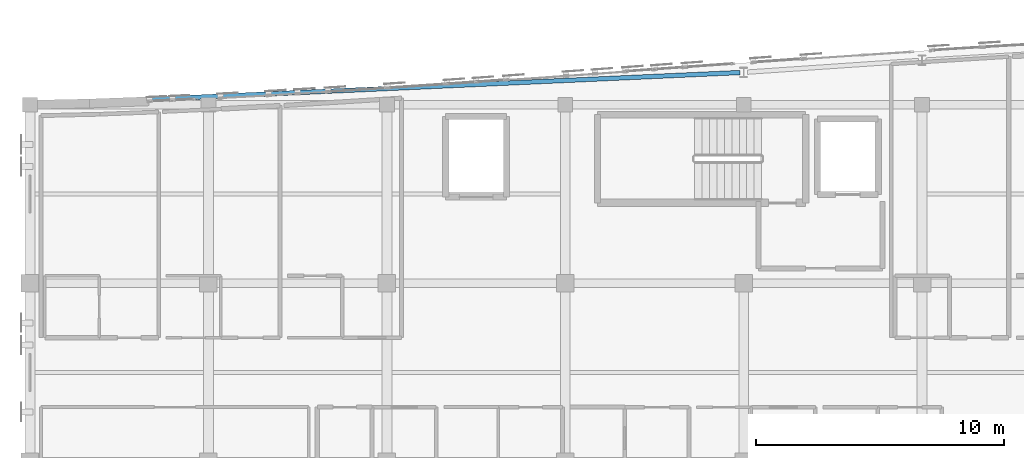
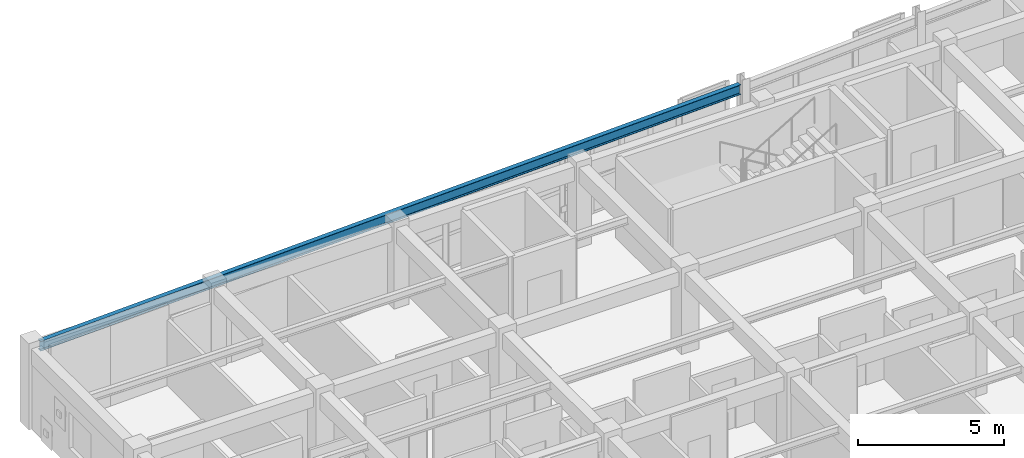
# One storey, part 10 of 73: 1 beam.
"""IFC4 building model written with IfcOpenShell, lengths in metres."""

from ifc_helpers import new_model, si_unit, direction, frame, origin, origin_2d, place, context, subcontext, project, spatial, i_section, extrude, material, material_profile, profile_set, type_object, element, save


model = new_model("IFC4")

# Units and contexts
model_context = context("Model", 3, precision=1e-05, world=origin(), true_north=direction((0.0, 1.0)))
body_context = subcontext(model_context, "Body", "Model", "MODEL_VIEW")
ifc_project = project(units=[si_unit("LENGTHUNIT", "METRE"), si_unit("AREAUNIT", "SQUARE_METRE"), si_unit("VOLUMEUNIT", "CUBIC_METRE"), si_unit("PLANEANGLEUNIT", "RADIAN"), si_unit("MASSUNIT", "GRAM", prefix="KILO")], contexts=[model_context])

# Site, building, storey
site_placement = place(None, origin())
site = spatial("IfcSite", under=ifc_project, at=site_placement, CompositionType="ELEMENT")
building_placement = place(site_placement, origin())
building = spatial("IfcBuilding", under=site, at=building_placement, Name="Carrowvane Square Congress Hotel", CompositionType="ELEMENT")
storey_placement = place(building_placement, frame((0.0, 0.0, 19.199951171875)))
storey = spatial("IfcBuildingStorey", under=building, at=storey_placement, Name="L04", CompositionType="ELEMENT", Elevation=19.199951171875)

# Beam
ifc_material = material(Name="Steel S355", Category="steel")
ifc_material_profile = material_profile(ifc_material, i_section(OverallWidth=0.1787109375, OverallDepth=0.409423828125, WebThickness=0.0087890625, FlangeThickness=0.014404296875, FilletRadius=0.01025390625, at=origin_2d()), Name="UKB 406x178x67")
ifc_profile_set = profile_set([ifc_material_profile], Name="Steel S355")
beam_type = type_object("IfcBeamType", Name="BM-ST-UKB406", PredefinedType="BEAM", material=ifc_profile_set)
beam_placement = place(storey_placement, frame((33.499755859375, 113.41357421875, 3.145263671875), z_axis=(0.998973341492, 0.045301909323, 0.0), x_axis=(-0.045301909323, 0.998973341492, 0.0)))
element("IfcBeam", 1, at=beam_placement, inside=storey, type_object=beam_type, Name="L05 curved north spandrel", PredefinedType="BEAM", context=body_context, shape_type="SweptSolid", body=[
    extrude(i_section(OverallWidth=0.1787109375, OverallDepth=0.409423828125, WebThickness=0.0087890625, FlangeThickness=0.014404296875, FilletRadius=0.01025390625, at=origin_2d()), origin(), (0.0, 0.0, 1.0), 28.37939453125),
])

save(model, "model.ifc")
